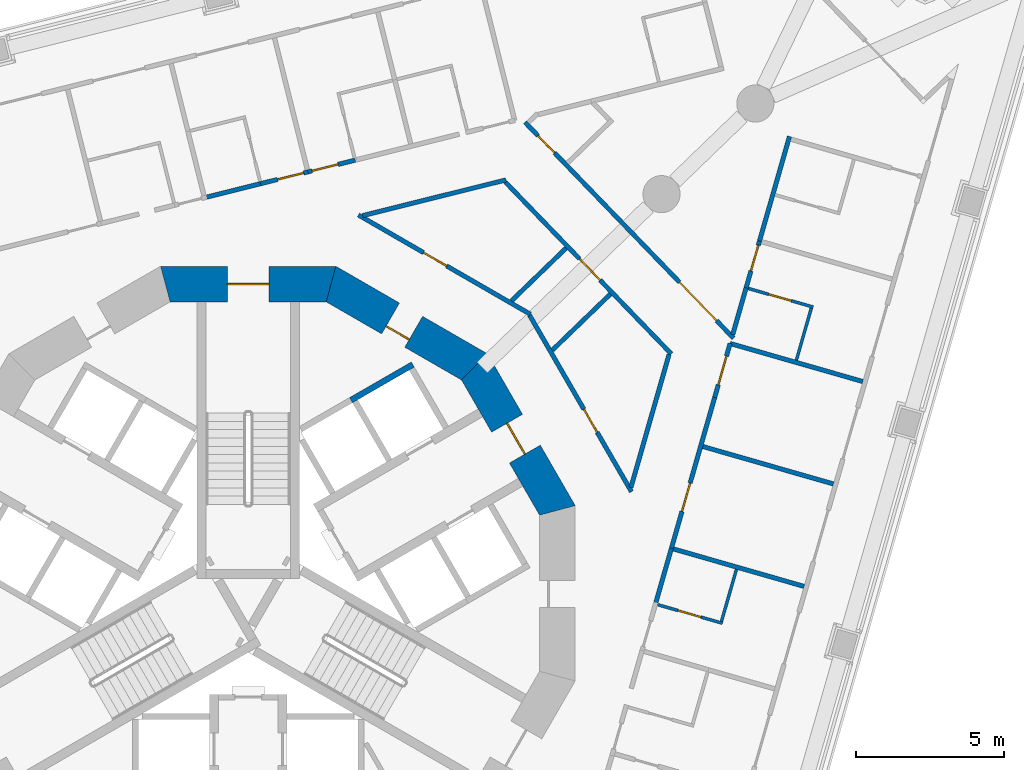
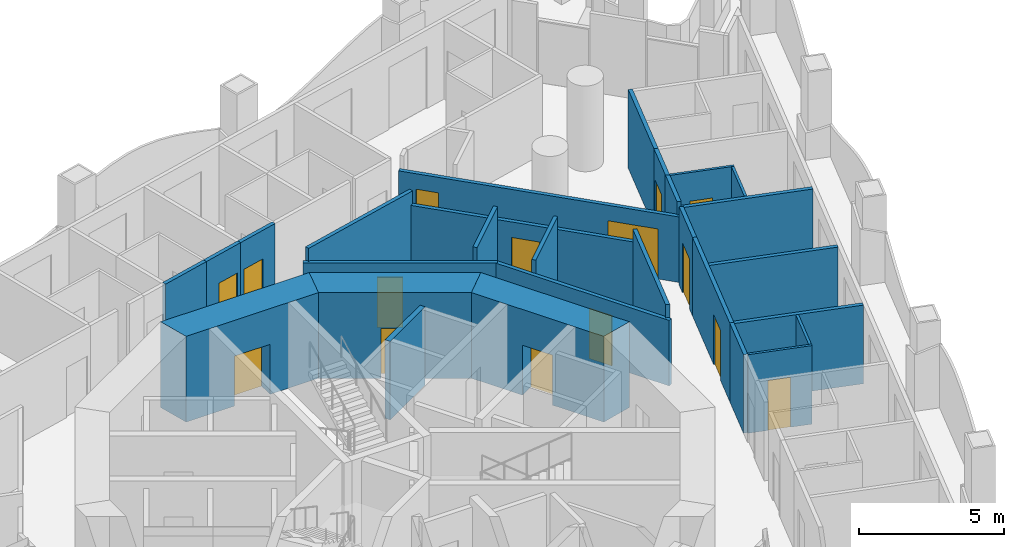
# One storey, part 10 of 20: 28 walls, 15 doors, 15 openings.
"""IFC4 building model written with IfcOpenShell, lengths in metres."""

import ifcopenshell
import ifcopenshell.guid

model = None  # the IFC model being written
_history = None  # IfcOwnerHistory: only IFC2X3 demands one
_inside = {}  # id of a spatial element -> (the spatial element, [elements in it])
_under = {}  # id of a project, library or spatial element -> (it, [spatial elements below it])
_declared = {}  # id of a project -> (the project, [libraries it declares])
_typed = {}  # id of a type object -> (the type object, [elements of that type])
_made_of = {}  # id of a material, layer set ... -> (it, [elements and type objects made of it])


def new_model(schema):
    """Start an empty IFC model of exactly this schema.

    Asked for "IFC4X3", IfcOpenShell would pick the latest addendum, in which some entities
    have other attributes; the version numbers below select the first issue.
    IFC2X3 requires an IfcOwnerHistory on every rooted entity: one is made here for all.
    """
    global model, _history
    if schema == "IFC4X3":
        model = ifcopenshell.file(schema_version=(4, 3, 0, 0))
    else:
        model = ifcopenshell.file(schema=schema)
    _inside.clear()
    _under.clear()
    _declared.clear()
    _typed.clear()
    _made_of.clear()
    _history = None
    if model.schema == "IFC2X3":
        org = make("IfcOrganization", Name="unknown")
        user = make(
            "IfcPersonAndOrganization",
            ThePerson=make("IfcPerson", FamilyName="unknown"),
            TheOrganization=org,
        )
        app = make(
            "IfcApplication",
            ApplicationDeveloper=org,
            Version="unknown",
            ApplicationFullName="unknown",
            ApplicationIdentifier="unknown",
        )
        _history = make(
            "IfcOwnerHistory",
            OwningUser=user,
            OwningApplication=app,
            ChangeAction="ADDED",
            CreationDate=0,
        )
    return model


def make(cls, **values):
    """One entity of the class cls with the attributes given. An attribute that is None is left unset."""
    return model.create_entity(
        cls, **{name: value for name, value in values.items() if value is not None}
    )


def rooted(cls, **values):
    """An entity with a GlobalId (a new one), such as an element, a storey or a relation."""
    return make(cls, GlobalId=ifcopenshell.guid.new(), OwnerHistory=_history, **values)


def si_unit(unit_type, name, prefix=None):
    """IfcSIUnit, for example si_unit("LENGTHUNIT", "METRE", prefix="MILLI")."""
    return make("IfcSIUnit", UnitType=unit_type, Prefix=prefix, Name=name)


def assignment(units):
    """IfcUnitAssignment: the units of a project."""
    return None if units is None else make("IfcUnitAssignment", Units=units)


def point(xyz):
    """IfcCartesianPoint."""
    return None if xyz is None else make("IfcCartesianPoint", Coordinates=xyz)


def direction(xyz):
    """IfcDirection."""
    return None if xyz is None else make("IfcDirection", DirectionRatios=xyz)


def frame(location, z_axis=None, x_axis=None):
    """IfcAxis2Placement3D, a coordinate frame: its origin and axes. An axis left out is left unset."""
    return make(
        "IfcAxis2Placement3D",
        Location=point(location),
        Axis=direction(z_axis),
        RefDirection=direction(x_axis),
    )


def frame_2d(location, x_axis=None):
    """IfcAxis2Placement2D, a coordinate frame in the plane: its origin and x axis."""
    return make(
        "IfcAxis2Placement2D", Location=point(location), RefDirection=direction(x_axis)
    )


def origin():
    """The frame at (0, 0, 0) with its axes left unset."""
    return frame((0.0, 0.0, 0.0))


def place(relative_to, where):
    """IfcLocalPlacement: puts the frame where relative to a parent placement (None: the world)."""
    return make(
        "IfcLocalPlacement", PlacementRelTo=relative_to, RelativePlacement=where
    )


def context(
    kind, dimensions, precision=None, world=None, true_north=None, identifier=None
):
    """IfcGeometricRepresentationContext, for example the 3D "Model" context."""
    return make(
        "IfcGeometricRepresentationContext",
        ContextIdentifier=identifier,
        ContextType=kind,
        CoordinateSpaceDimension=dimensions,
        Precision=precision,
        WorldCoordinateSystem=world,
        TrueNorth=true_north,
    )


def subcontext(parent, identifier, kind, view, scale=None):
    """IfcGeometricRepresentationSubContext, for example "Body" below "Model"."""
    return make(
        "IfcGeometricRepresentationSubContext",
        ContextIdentifier=identifier,
        ContextType=kind,
        ParentContext=parent,
        TargetScale=scale,
        TargetView=view,
    )


def project(units=None, contexts=None):
    """IfcProject with its units and contexts."""
    return rooted(
        "IfcProject",
        Name="project",
        RepresentationContexts=contexts,
        UnitsInContext=assignment(units),
    )


def spatial(cls, under=None, at=None, **own):
    """A site, building, storey or space (cls), placed at a placement, below another one or the project."""
    s = rooted(cls, ObjectPlacement=at, **own)
    if under is not None:
        _under.setdefault(under.id(), (under, []))[1].append(s)
    return s


def polyline(points):
    """IfcPolyline through the points."""
    return make("IfcPolyline", Points=[point(p) for p in points])


def profile(cls, at=None, kind="AREA", **sizes):
    """A parametric profile (cls). Its sizes go by their IFC names, for example OverallWidth=200.0."""
    return make(cls, ProfileType=kind, Position=at, **sizes)


def rectangle(**sizes):
    """IfcRectangleProfileDef."""
    return profile("IfcRectangleProfileDef", **sizes)


def outline(outer, holes=None, kind="AREA"):
    """IfcArbitraryClosedProfileDef: a profile drawn as a closed curve; with holes, ...WithVoids."""
    if holes is None:
        return make("IfcArbitraryClosedProfileDef", ProfileType=kind, OuterCurve=outer)
    return make(
        "IfcArbitraryProfileDefWithVoids",
        ProfileType=kind,
        OuterCurve=outer,
        InnerCurves=holes,
    )


def extrude(swept, where, along, depth):
    """IfcExtrudedAreaSolid: the profile swept, set in the frame where, extruded along a direction by depth."""
    return make(
        "IfcExtrudedAreaSolid",
        SweptArea=swept,
        Position=where,
        ExtrudedDirection=direction(along),
        Depth=depth,
    )


def shape(context_of_items, identifier, shape_type, items):
    """IfcShapeRepresentation: the items that make up one representation, for example the "Body"."""
    return make(
        "IfcShapeRepresentation",
        ContextOfItems=context_of_items,
        RepresentationIdentifier=identifier,
        RepresentationType=shape_type,
        Items=items,
    )


def material(Name=None, Category=None):
    """IfcMaterial."""
    return make("IfcMaterial", Name=Name, Category=Category)


def layer(
    of_material, thickness, ventilated=None, Name=None, Category=None, Priority=None
):
    """IfcMaterialLayer: one layer of a wall or slab, of a material (None: an air gap)."""
    return make(
        "IfcMaterialLayer",
        Material=of_material,
        LayerThickness=thickness,
        IsVentilated=ventilated,
        Name=Name,
        Category=Category,
        Priority=Priority,
    )


def layer_set(layers, Name=None):
    """IfcMaterialLayerSet."""
    return make("IfcMaterialLayerSet", MaterialLayers=layers, LayerSetName=Name)


def made_of(thing, what):
    """Note that an element or type object is made of a material, layer set ...; save() writes the relation."""
    if what is not None:
        _made_of.setdefault(what.id(), (what, []))[1].append(thing)
    return thing


def type_object(cls, material=None, **own):
    """A type object (cls), such as IfcWallType, which elements share."""
    return made_of(rooted(cls, **own), material)


def element(
    cls,
    number,
    at=None,
    inside=None,
    cuts=None,
    type_object=None,
    material=None,
    context=None,
    identifier="Body",
    shape_type=None,
    held_by="IfcProductDefinitionShape",
    body=None,
    shapes=None,
    **own,
):
    """One element of the class cls, such as IfcWall. Its Tag is "e" and its number.

    at: its placement. inside: the storey or other place that contains it. cuts: it is an
    opening in that element (IfcRelVoidsElement). A single representation is given by context,
    identifier, shape_type and body (its items); several are given by shapes. held_by: the class
    of the entity that holds the representations. save() writes the other relations.
    """
    e = rooted(cls, Tag="e%d" % number, ObjectPlacement=at, **own)
    if body is not None:
        shapes = [shape(context, identifier, shape_type, body)]
    if shapes is not None:
        e.Representation = make(held_by, Representations=shapes)
    if inside is not None:
        _inside.setdefault(inside.id(), (inside, []))[1].append(e)
    if cuts is not None:
        rooted(
            "IfcRelVoidsElement", RelatingBuildingElement=cuts, RelatedOpeningElement=e
        )
    if type_object is not None:
        _typed.setdefault(type_object.id(), (type_object, []))[1].append(e)
    return made_of(e, material)


def fill(opening, filler):
    """IfcRelFillsElement: the door or window that sits in an opening."""
    return rooted(
        "IfcRelFillsElement",
        RelatingOpeningElement=opening,
        RelatedBuildingElement=filler,
    )


def aggregate(whole, parts):
    """IfcRelAggregates: a whole, such as a stair, and the parts it consists of."""
    return rooted("IfcRelAggregates", RelatingObject=whole, RelatedObjects=parts)


def save(model, path):
    """Write the relations noted so far, then the file.

    IfcRelAggregates (storeys below a building ...), IfcRelContainedInSpatialStructure (elements
    in a storey), IfcRelDefinesByType, IfcRelAssociatesMaterial and IfcRelDeclares: one each for
    every whole, place, type object, material and project.
    """
    for whole, parts in _under.values():
        aggregate(whole, parts)
    for where, things in _inside.values():
        rooted(
            "IfcRelContainedInSpatialStructure",
            RelatedElements=things,
            RelatingStructure=where,
        )
    for kind, things in _typed.values():
        rooted("IfcRelDefinesByType", RelatedObjects=things, RelatingType=kind)
    for what, things in _made_of.values():
        rooted("IfcRelAssociatesMaterial", RelatedObjects=things, RelatingMaterial=what)
    for by, libraries in _declared.values():
        rooted("IfcRelDeclares", RelatingContext=by, RelatedDefinitions=libraries)
    model.write(path)


model = new_model("IFC4")

# Units and contexts
model_context = context("Model", 3, precision=1e-05, world=origin(), true_north=direction((0.0, 1.0)))
body_context = subcontext(model_context, "Body", "Model", "MODEL_VIEW")
ifc_project = project(units=[si_unit("LENGTHUNIT", "METRE"), si_unit("AREAUNIT", "SQUARE_METRE"), si_unit("VOLUMEUNIT", "CUBIC_METRE"), si_unit("PLANEANGLEUNIT", "RADIAN"), si_unit("MASSUNIT", "GRAM", prefix="KILO")], contexts=[model_context])

# Site, building, storey
site_placement = place(None, origin())
site = spatial("IfcSite", under=ifc_project, at=site_placement, CompositionType="ELEMENT")
building_placement = place(site_placement, origin())
building = spatial("IfcBuilding", under=site, at=building_placement, Name="Trine Commons Tower", CompositionType="ELEMENT")
storey_placement = place(building_placement, frame((0.0, 0.0, 101.699951171875)))
storey = spatial("IfcBuildingStorey", under=building, at=storey_placement, Name="L25", CompositionType="ELEMENT", Elevation=101.699951171875)

# Wall, opening, door
ifc_material_1 = material(Name="Concrete C70/85", Category="concrete")
ifc_layer_1 = layer(ifc_material_1, 1.199951171875)
ifc_layer_set_1 = layer_set([ifc_layer_1], Name="Concrete C70/85")
wall_type_1 = type_object("IfcWallType", Name="RC shear wall 1200 mm, C70/85", PredefinedType="SHEAR", material=ifc_layer_set_1)
wall_1_placement = place(storey_placement, frame((90.491943359375, 65.150390625, 0.0), z_axis=(0.0, 0.0, 1.0), x_axis=(-0.499979111662, 0.866037463336, 0.0)))
wall_1 = element("IfcWall", 1, at=wall_1_placement, inside=storey, type_object=wall_type_1, Name="Core wall CWC-02 L25", PredefinedType="SHEAR", context=body_context, shape_type="SweptSolid", body=[
    extrude(outline(polyline([(0.0, -0.60009765625), (5.901123046875, -0.60009765625), (5.57958984375, 0.60009765625), (0.321533203125, 0.60009765625), (0.0, -0.60009765625)])), origin(), (0.0, 0.0, 1.0), 3.60009765625),
])
opening_1_placement = place(wall_1_placement, frame((2.3505859375, 0.0, 0.0)))
opening_1 = element("IfcOpeningElement", 2, at=opening_1_placement, cuts=wall_1, Name="Opening K04.04", PredefinedType="OPENING", context=body_context, shape_type="SweptSolid", body=[
    extrude(rectangle(XDim=1.199951171875, YDim=2.10009765625, at=frame_2d((0.60009765625, 1.050048828125))), frame((0.0, 0.60986328125, 0.0), z_axis=(0.0, -1.0, 0.0), x_axis=(1.0, 0.0, 0.0)), (0.0, 0.0, 1.0), 1.219970703125),
])
ifc_material_2 = material(Name="Steel door leaves, fire-rated", Category="steel")
door_type_1 = type_object("IfcDoorType", Name="Lobby door, double leaf 1200 x 2100, FD60", OperationType="DOUBLE_DOOR_SINGLE_SWING", PredefinedType="DOOR", material=ifc_material_2)
door_1_placement = place(opening_1_placement, origin())
door_1 = element("IfcDoor", 3, at=door_1_placement, inside=storey, type_object=door_type_1, Name="Lobby door, Passenger lift lobby A L25", OperationType="DOUBLE_DOOR_SINGLE_SWING", OverallHeight=2.10009765625, OverallWidth=1.199951171875, PredefinedType="DOOR", context=body_context, shape_type="SweptSolid", body=[
    extrude(rectangle(XDim=1.199951171875, YDim=2.10009765625, at=frame_2d((0.60009765625, 1.050048828125))), frame((0.0, 0.02490234375, 0.0), z_axis=(0.0, -1.0, 0.0), x_axis=(1.0, 0.0, 0.0)), (0.0, 0.0, 1.0), 0.050048828125),
])
fill(opening_1, door_1)

wall_2_placement = place(storey_placement, frame((87.760986328125, 70.04150390625, 0.0), z_axis=(0.0, 0.0, 1.0), x_axis=(-0.866037463336, 0.499979111662, 0.0)))
wall_2 = element("IfcWall", 4, at=wall_2_placement, inside=storey, type_object=wall_type_1, Name="Core wall CWC-03 L25", PredefinedType="SHEAR", context=body_context, shape_type="SweptSolid", body=[
    extrude(outline(polyline([(0.0, -0.60009765625), (5.901123046875, -0.60009765625), (5.57958984375, 0.60009765625), (0.321533203125, 0.60009765625), (0.0, -0.60009765625)])), origin(), (0.0, 0.0, 1.0), 3.60009765625),
])
opening_2_placement = place(wall_2_placement, frame((2.526611328125, 0.0, 0.0)))
opening_2 = element("IfcOpeningElement", 5, at=opening_2_placement, cuts=wall_2, Name="Opening K04.12", PredefinedType="OPENING", context=body_context, shape_type="SweptSolid", body=[
    extrude(rectangle(XDim=0.89990234375, YDim=2.10009765625, at=frame_2d((0.449951171875, 1.050048828125))), frame((0.0, 0.60986328125, 0.0), z_axis=(0.0, -1.0, 0.0), x_axis=(1.0, 0.0, 0.0)), (0.0, 0.0, 1.0), 1.219970703125),
])
ifc_material_3 = material(Name="Steel door leaf, fire-rated", Category="steel")
door_type_2 = type_object("IfcDoorType", Name="Core room door, single leaf 900 x 2100, FD30S", OperationType="SINGLE_SWING_LEFT", PredefinedType="DOOR", material=ifc_material_3)
door_2_placement = place(opening_2_placement, origin())
door_2 = element("IfcDoor", 6, at=door_2_placement, inside=storey, type_object=door_type_2, Name="Door to Linen store L25", OperationType="SINGLE_SWING_RIGHT", OverallHeight=2.10009765625, OverallWidth=0.89990234375, PredefinedType="DOOR", context=body_context, shape_type="SweptSolid", body=[
    extrude(rectangle(XDim=0.89990234375, YDim=2.10009765625, at=frame_2d((0.449951171875, 1.050048828125))), frame((0.0, 0.3251953125, 0.0), z_axis=(0.0, -1.0, 0.0), x_axis=(1.0, 0.0, 0.0)), (0.0, 0.0, 1.0), 0.050048828125),
])
fill(opening_2, door_2)

wall_3_placement = place(storey_placement, frame((82.950439453125, 72.91162109375, 0.0), z_axis=(0.0, 0.0, 1.0), x_axis=(-1.0, 0.0, 0.0)))
wall_3 = element("IfcWall", 7, at=wall_3_placement, inside=storey, type_object=wall_type_1, Name="Core wall CWC-04 L25", PredefinedType="SHEAR", context=body_context, shape_type="SweptSolid", body=[
    extrude(outline(polyline([(0.0, -0.60009765625), (5.90087890625, -0.60009765625), (5.57958984375, 0.60009765625), (0.321533203125, 0.60009765625), (0.0, -0.60009765625)])), origin(), (0.0, 0.0, 1.0), 3.60009765625),
])
opening_3_placement = place(wall_3_placement, frame((2.25048828125, 0.0, 0.0)))
opening_3 = element("IfcOpeningElement", 8, at=opening_3_placement, cuts=wall_3, Name="Opening K04.01", PredefinedType="OPENING", context=body_context, shape_type="SweptSolid", body=[
    extrude(rectangle(XDim=1.39990234375, YDim=2.10009765625, at=frame_2d((0.699951171875, 1.050048828125))), frame((0.0, 0.60986328125, 0.0), z_axis=(0.0, -1.0, 0.0), x_axis=(1.0, 0.0, 0.0)), (0.0, 0.0, 1.0), 1.219970703125),
])
door_type_3 = type_object("IfcDoorType", Name="Stair door, double leaf 1400 x 2100, FD90", OperationType="DOUBLE_DOOR_SINGLE_SWING", PredefinedType="DOOR", material=ifc_material_2)
door_3_placement = place(opening_3_placement, origin())
door_3 = element("IfcDoor", 9, at=door_3_placement, inside=storey, type_object=door_type_3, Name="Stair door to Exit stair ST1A L25", OperationType="DOUBLE_DOOR_SINGLE_SWING", OverallHeight=2.10009765625, OverallWidth=1.39990234375, PredefinedType="DOOR", context=body_context, shape_type="SweptSolid", body=[
    extrude(rectangle(XDim=1.39990234375, YDim=2.10009765625, at=frame_2d((0.699951171875, 1.050048828125))), frame((0.0, 0.02490234375, 0.0), z_axis=(0.0, -1.0, 0.0), x_axis=(1.0, 0.0, 0.0)), (0.0, 0.0, 1.0), 0.050048828125),
])
fill(opening_3, door_3)

# Walls
ifc_material_4 = material(Name="Fire-rated gypsum shaft wall system")
ifc_layer_2 = layer(ifc_material_4, 0.199951171875)
ifc_layer_set_2 = layer_set([ifc_layer_2], Name="Fire-rated gypsum shaft wall system")
wall_type_2 = type_object("IfcWallType", Name="Shaft wall 200 mm, EI 120", PredefinedType="PARTITIONING", material=ifc_layer_set_2)
wall_4_placement = place(storey_placement, frame((83.4619140625, 69.001953125, 0.0), z_axis=(0.0, 0.0, 1.0), x_axis=(0.866202511239, 0.499693115345, 0.0)))
element("IfcWall", 10, at=wall_4_placement, inside=storey, type_object=wall_type_2, Name="Shaft wall L25", PredefinedType="PARTITIONING", context=body_context, shape_type="SweptSolid", body=[
    extrude(rectangle(XDim=2.4013671875, YDim=0.199951171875, at=frame_2d((1.20068359375, 0.0))), origin(), (0.0, 0.0, 1.0), 3.300048828125),
])
ifc_material_5 = material(Name="Gypsum plasterboard on steel stud", Category="steel")
ifc_layer_3 = layer(ifc_material_5, 0.14990234375)
ifc_layer_set_3 = layer_set([ifc_layer_3], Name="Gypsum plasterboard on steel stud")
wall_type_3 = type_object("IfcWallType", Name="Unit and corridor wall 150 mm, EI 60", PredefinedType="PARTITIONING", material=ifc_layer_set_3)
wall_5_placement = place(storey_placement, frame((78.52392578125, 75.820068359375, 0.0), z_axis=(0.0, 0.0, 1.0), x_axis=(0.970398654649, 0.241508697681, 0.0)))
element("IfcWall", 11, at=wall_5_placement, inside=storey, type_object=wall_type_3, Name="Partition 069", PredefinedType="PARTITIONING", context=body_context, shape_type="SweptSolid", body=[
    extrude(rectangle(XDim=1.9580078125, YDim=0.14990234375, at=frame_2d((0.97900390625, 0.0))), origin(), (0.0, 0.0, 1.0), 3.300048828125),
])

# Wall, opening, door
wall_6_placement = place(storey_placement, frame((80.416015625, 76.291015625, 0.0), z_axis=(0.0, 0.0, 1.0), x_axis=(0.970220928559, 0.242221695533, 0.0)))
wall_6 = element("IfcWall", 12, at=wall_6_placement, inside=storey, type_object=wall_type_3, Name="Partition 076", PredefinedType="PARTITIONING", context=body_context, shape_type="SweptSolid", body=[
    extrude(rectangle(XDim=1.64697265625, YDim=0.14990234375, at=frame_2d((0.823486328125, 0.0))), origin(), (0.0, 0.0, 1.0), 3.300048828125),
])
opening_4_placement = place(wall_6_placement, frame((0.593017578125, 0.0, 0.0)))
opening_4 = element("IfcOpeningElement", 13, at=opening_4_placement, cuts=wall_6, Name="Opening D-3B12", PredefinedType="OPENING", context=body_context, shape_type="SweptSolid", body=[
    extrude(rectangle(XDim=0.89990234375, YDim=2.10009765625, at=frame_2d((0.449951171875, 1.050048828125))), frame((0.0, 0.0849609375, 0.0), z_axis=(0.0, -1.0, 0.0), x_axis=(1.0, 0.0, 0.0)), (0.0, 0.0, 1.0), 0.169921875),
])
ifc_material_6 = material(Name="Timber fire door set", Category="wood")
door_type_4 = type_object("IfcDoorType", Name="Bedroom door 900 x 2100, FD30S", OperationType="NOTDEFINED", PredefinedType="DOOR", material=ifc_material_6)
door_4_placement = place(opening_4_placement, origin())
door_4 = element("IfcDoor", 14, at=door_4_placement, inside=storey, type_object=door_type_4, Name="Door D-3B12", OperationType="SINGLE_SWING_RIGHT", OverallHeight=2.10009765625, OverallWidth=0.89990234375, PredefinedType="DOOR", context=body_context, shape_type="SweptSolid", body=[
    extrude(rectangle(XDim=0.89990234375, YDim=2.10009765625, at=frame_2d((0.449951171875, 1.050048828125))), frame((0.0, 0.02490234375, 0.0), z_axis=(0.0, -1.0, 0.0), x_axis=(1.0, 0.0, 0.0)), (0.0, 0.0, 1.0), 0.050048828125),
])
fill(opening_4, door_4)

wall_7_placement = place(storey_placement, frame((82.006103515625, 76.68798828125, 0.0), z_axis=(0.0, 0.0, 1.0), x_axis=(0.970325473096, 0.241802556359, 0.0)))
wall_7 = element("IfcWall", 15, at=wall_7_placement, inside=storey, type_object=wall_type_3, Name="Partition 080", PredefinedType="PARTITIONING", context=body_context, shape_type="SweptSolid", body=[
    extrude(rectangle(XDim=1.645751953125, YDim=0.14990234375, at=frame_2d((0.82275390625, 0.0))), origin(), (0.0, 0.0, 1.0), 3.300048828125),
])
opening_5_placement = place(wall_7_placement, frame((0.154052734375, 0.0, 0.0)))
opening_5 = element("IfcOpeningElement", 16, at=opening_5_placement, cuts=wall_7, Name="Opening D-3B13", PredefinedType="OPENING", context=body_context, shape_type="SweptSolid", body=[
    extrude(rectangle(XDim=0.89990234375, YDim=2.10009765625, at=frame_2d((0.449951171875, 1.050048828125))), frame((0.0, 0.0849609375, 0.0), z_axis=(0.0, -1.0, 0.0), x_axis=(1.0, 0.0, 0.0)), (0.0, 0.0, 1.0), 0.169921875),
])
door_5_placement = place(opening_5_placement, origin())
door_5 = element("IfcDoor", 17, at=door_5_placement, inside=storey, type_object=door_type_4, Name="Door D-3B13", OperationType="SINGLE_SWING_LEFT", OverallHeight=2.10009765625, OverallWidth=0.89990234375, PredefinedType="DOOR", context=body_context, shape_type="SweptSolid", body=[
    extrude(rectangle(XDim=0.89990234375, YDim=2.10009765625, at=frame_2d((0.449951171875, 1.050048828125))), frame((0.0, 0.02490234375, 0.0), z_axis=(0.0, -1.0, 0.0), x_axis=(1.0, 0.0, 0.0)), (0.0, 0.0, 1.0), 0.050048828125),
])
fill(opening_5, door_5)

wall_8_placement = place(storey_placement, frame((83.7119140625, 75.237548828125, 0.0), z_axis=(0.0, 0.0, 1.0), x_axis=(0.866033484359, -0.499986003774, 0.0)))
wall_8 = element("IfcWall", 18, at=wall_8_placement, inside=storey, type_object=wall_type_3, Name="Partition 085", PredefinedType="PARTITIONING", context=body_context, shape_type="SweptSolid", body=[
    extrude(rectangle(XDim=6.682373046875, YDim=0.14990234375, at=frame_2d((3.34130859375, 0.0))), origin(), (0.0, 0.0, 1.0), 2.75),
])
opening_6_placement = place(wall_8_placement, frame((2.53271484375, 0.0, 0.0)))
opening_6 = element("IfcOpeningElement", 19, at=opening_6_placement, cuts=wall_8, Name="Opening D-3B38", PredefinedType="OPENING", context=body_context, shape_type="SweptSolid", body=[
    extrude(rectangle(XDim=0.89990234375, YDim=2.10009765625, at=frame_2d((0.449951171875, 1.050048828125))), frame((0.0, 0.0849609375, 0.0), z_axis=(0.0, -1.0, 0.0), x_axis=(1.0, 0.0, 0.0)), (0.0, 0.0, 1.0), 0.169921875),
])
door_type_5 = type_object("IfcDoorType", Name="Service door 900 x 2100, FD30S", OperationType="NOTDEFINED", PredefinedType="DOOR", material=ifc_material_6)
door_6_placement = place(opening_6_placement, origin())
door_6 = element("IfcDoor", 20, at=door_6_placement, inside=storey, type_object=door_type_5, Name="Door D-3B38", OperationType="SINGLE_SWING_LEFT", OverallHeight=2.10009765625, OverallWidth=0.89990234375, PredefinedType="DOOR", context=body_context, shape_type="SweptSolid", body=[
    extrude(rectangle(XDim=0.89990234375, YDim=2.10009765625, at=frame_2d((0.449951171875, 1.050048828125))), frame((0.0, 0.02490234375, 0.0), z_axis=(0.0, -1.0, 0.0), x_axis=(1.0, 0.0, 0.0)), (0.0, 0.0, 1.0), 0.050048828125),
])
fill(opening_6, door_6)

# Wall
wall_9_placement = place(storey_placement, frame((83.852783203125, 75.216064453125, 0.0), z_axis=(0.0, 0.0, 1.0), x_axis=(0.970312588938, 0.241854253112, 0.0)))
element("IfcWall", 21, at=wall_9_placement, inside=storey, type_object=wall_type_3, Name="Partition 086", PredefinedType="PARTITIONING", context=body_context, shape_type="SweptSolid", body=[
    extrude(rectangle(XDim=4.974609375, YDim=0.14990234375, at=frame_2d((2.4873046875, 0.0))), origin(), (0.0, 0.0, 1.0), 3.300048828125),
])

# Wall, opening, door
wall_10_placement = place(storey_placement, frame((88.6591796875, 76.34716796875, 0.0), z_axis=(0.0, 0.0, 1.0), x_axis=(0.694672534157, -0.719326122345, 0.0)))
wall_10 = element("IfcWall", 22, at=wall_10_placement, inside=storey, type_object=wall_type_3, Name="Partition 101", PredefinedType="PARTITIONING", context=body_context, shape_type="SweptSolid", body=[
    extrude(rectangle(XDim=8.041015625, YDim=0.14990234375, at=frame_2d((4.0205078125, 0.0))), origin(), (0.0, 0.0, 1.0), 2.75),
])
opening_7_placement = place(wall_10_placement, frame((3.595458984375, 0.0, 0.0)))
opening_7 = element("IfcOpeningElement", 23, at=opening_7_placement, cuts=wall_10, Name="Opening D-3B42", PredefinedType="OPENING", context=body_context, shape_type="SweptSolid", body=[
    extrude(rectangle(XDim=1.0, YDim=2.10009765625, at=frame_2d((0.5, 1.050048828125))), frame((0.0, 0.0849609375, 0.0), z_axis=(0.0, -1.0, 0.0), x_axis=(1.0, 0.0, 0.0)), (0.0, 0.0, 1.0), 0.169921875),
])
ifc_material_7 = material(Name="Painted timber", Category="wood")
door_type_6 = type_object("IfcDoorType", Name="Toilet door 1000 x 2100, NOT RATED", OperationType="NOTDEFINED", PredefinedType="DOOR", material=ifc_material_7)
door_7_placement = place(opening_7_placement, frame((1.0, 0.0, 0.0), z_axis=(0.0, 0.0, 1.0), x_axis=(-1.0, 0.0, 0.0)))
door_7 = element("IfcDoor", 24, at=door_7_placement, inside=storey, type_object=door_type_6, Name="Door D-3B42", OperationType="SINGLE_SWING_LEFT", OverallHeight=2.10009765625, OverallWidth=1.0, PredefinedType="DOOR", context=body_context, shape_type="SweptSolid", body=[
    extrude(rectangle(XDim=1.0, YDim=2.10009765625, at=frame_2d((0.5, 1.050048828125))), frame((0.0, 0.02490234375, 0.0), z_axis=(0.0, -1.0, 0.0), x_axis=(1.0, 0.0, 0.0)), (0.0, 0.0, 1.0), 0.050048828125),
])
fill(opening_7, door_7)

# Wall
wall_11_placement = place(storey_placement, frame((88.864013671875, 72.34619140625, 0.0), z_axis=(0.0, 0.0, 1.0), x_axis=(0.719366900494, 0.694630306332, 0.0)))
element("IfcWall", 25, at=wall_11_placement, inside=storey, type_object=wall_type_3, Name="Partition 103", PredefinedType="PARTITIONING", context=body_context, shape_type="SweptSolid", body=[
    extrude(rectangle(XDim=2.55615234375, YDim=0.14990234375, at=frame_2d((1.278076171875, 0.0))), origin(), (0.0, 0.0, 1.0), 3.300048828125),
])

# Wall, openings, doors
wall_12_placement = place(storey_placement, frame((89.322998046875, 78.35791015625, 0.0), z_axis=(0.0, 0.0, 1.0), x_axis=(0.694707851552, -0.719292013713, 0.0)))
wall_12 = element("IfcWall", 26, at=wall_12_placement, inside=storey, type_object=wall_type_3, Name="Partition 107", PredefinedType="PARTITIONING", context=body_context, shape_type="SweptSolid", body=[
    extrude(rectangle(XDim=10.109619140625, YDim=0.14990234375, at=frame_2d((5.0546875, 0.0))), origin(), (0.0, 0.0, 1.0), 2.75),
])
opening_8_placement = place(wall_12_placement, frame((7.484130859375, 0.0, 0.0)))
opening_8 = element("IfcOpeningElement", 27, at=opening_8_placement, cuts=wall_12, Name="Opening D-3B01", PredefinedType="OPENING", context=body_context, shape_type="SweptSolid", body=[
    extrude(rectangle(XDim=1.800048828125, YDim=2.10009765625, at=frame_2d((0.89990234375, 1.050048828125))), frame((0.0, 0.0849609375, 0.0), z_axis=(0.0, -1.0, 0.0), x_axis=(1.0, 0.0, 0.0)), (0.0, 0.0, 1.0), 0.169921875),
])
opening_9_placement = place(wall_12_placement, frame((0.628662109375, 0.0, 0.0)))
opening_9 = element("IfcOpeningElement", 28, at=opening_9_placement, cuts=wall_12, Name="Opening D-3B04", PredefinedType="OPENING", context=body_context, shape_type="SweptSolid", body=[
    extrude(rectangle(XDim=0.800048828125, YDim=2.10009765625, at=frame_2d((0.39990234375, 1.050048828125))), frame((0.0, 0.0849609375, 0.0), z_axis=(0.0, -1.0, 0.0), x_axis=(1.0, 0.0, 0.0)), (0.0, 0.0, 1.0), 0.169921875),
])
door_type_7 = type_object("IfcDoorType", Name="Cluster entrance door 1800 x 2100, double leaf, FD30S", OperationType="DOUBLE_DOOR_DOUBLE_SWING", PredefinedType="DOOR", material=ifc_material_6)
door_8_placement = place(opening_8_placement, origin())
door_8 = element("IfcDoor", 29, at=door_8_placement, inside=storey, type_object=door_type_7, Name="Door D-3B01", OperationType="DOUBLE_DOOR_DOUBLE_SWING", OverallHeight=2.10009765625, OverallWidth=1.800048828125, PredefinedType="DOOR", context=body_context, shape_type="SweptSolid", body=[
    extrude(rectangle(XDim=1.800048828125, YDim=2.10009765625, at=frame_2d((0.89990234375, 1.050048828125))), frame((0.0, 0.02490234375, 0.0), z_axis=(0.0, -1.0, 0.0), x_axis=(1.0, 0.0, 0.0)), (0.0, 0.0, 1.0), 0.050048828125),
])
fill(opening_8, door_8)
door_type_8 = type_object("IfcDoorType", Name="Toilet door 800 x 2100, NOT RATED", OperationType="NOTDEFINED", PredefinedType="DOOR", material=ifc_material_7)
door_9_placement = place(opening_9_placement, origin())
door_9 = element("IfcDoor", 30, at=door_9_placement, inside=storey, type_object=door_type_8, Name="Door D-3B04", OperationType="SINGLE_SWING_LEFT", OverallHeight=2.10009765625, OverallWidth=0.800048828125, PredefinedType="DOOR", context=body_context, shape_type="SweptSolid", body=[
    extrude(rectangle(XDim=0.800048828125, YDim=2.10009765625, at=frame_2d((0.39990234375, 1.050048828125))), frame((0.0, 0.02490234375, 0.0), z_axis=(0.0, -1.0, 0.0), x_axis=(1.0, 0.0, 0.0)), (0.0, 0.0, 1.0), 0.050048828125),
])
fill(opening_9, door_9)

# Wall, opening, door
wall_13_placement = place(storey_placement, frame((89.471435546875, 71.868896484375, 0.0), z_axis=(0.0, 0.0, 1.0), x_axis=(0.500000410344, -0.866025166872, 0.0)))
wall_13 = element("IfcWall", 31, at=wall_13_placement, inside=storey, type_object=wall_type_3, Name="Partition 109", PredefinedType="PARTITIONING", context=body_context, shape_type="SweptSolid", body=[
    extrude(rectangle(XDim=6.8681640625, YDim=0.14990234375, at=frame_2d((3.43408203125, 0.0))), origin(), (0.0, 0.0, 1.0), 2.75),
])
opening_10_placement = place(wall_13_placement, frame((3.65869140625, 0.0, 0.0)))
opening_10 = element("IfcOpeningElement", 32, at=opening_10_placement, cuts=wall_13, Name="Opening D-3B39", PredefinedType="OPENING", context=body_context, shape_type="SweptSolid", body=[
    extrude(rectangle(XDim=0.89990234375, YDim=2.10009765625, at=frame_2d((0.449951171875, 1.050048828125))), frame((0.0, 0.0849609375, 0.0), z_axis=(0.0, -1.0, 0.0), x_axis=(1.0, 0.0, 0.0)), (0.0, 0.0, 1.0), 0.169921875),
])
door_10_placement = place(opening_10_placement, origin())
door_10 = element("IfcDoor", 33, at=door_10_placement, inside=storey, type_object=door_type_5, Name="Door D-3B39", OperationType="SINGLE_SWING_RIGHT", OverallHeight=2.10009765625, OverallWidth=0.89990234375, PredefinedType="DOOR", context=body_context, shape_type="SweptSolid", body=[
    extrude(rectangle(XDim=0.89990234375, YDim=2.10009765625, at=frame_2d((0.449951171875, 1.050048828125))), frame((0.0, 0.02490234375, 0.0), z_axis=(0.0, -1.0, 0.0), x_axis=(1.0, 0.0, 0.0)), (0.0, 0.0, 1.0), 0.050048828125),
])
fill(opening_10, door_10)

# Walls
wall_14_placement = place(storey_placement, frame((90.239013671875, 70.68408203125, 0.0), z_axis=(0.0, 0.0, 1.0), x_axis=(0.719152656364, 0.694852111492, 0.0)))
element("IfcWall", 34, at=wall_14_placement, inside=storey, type_object=wall_type_3, Name="Partition 112", PredefinedType="PARTITIONING", context=body_context, shape_type="SweptSolid", body=[
    extrude(rectangle(XDim=2.72265625, YDim=0.14990234375, at=frame_2d((1.361328125, 0.0))), origin(), (0.0, 0.0, 1.0), 3.300048828125),
])
wall_15_placement = place(storey_placement, frame((92.88671875, 66.06103515625, 0.0), z_axis=(0.0, 0.0, 1.0), x_axis=(0.275619666794, 0.961266768008, 0.0)))
element("IfcWall", 35, at=wall_15_placement, inside=storey, type_object=wall_type_3, Name="Partition 126", PredefinedType="PARTITIONING", context=body_context, shape_type="SweptSolid", body=[
    extrude(rectangle(XDim=4.66455078125, YDim=0.14990234375, at=frame_2d((2.332275390625, 0.0))), origin(), (0.0, 0.0, 1.0), 3.300048828125),
])
wall_16_placement = place(storey_placement, frame((93.7119140625, 62.134033203125, 0.0), z_axis=(0.0, 0.0, 1.0), x_axis=(0.275675684966, 0.961250704405, 0.0)))
element("IfcWall", 36, at=wall_16_placement, inside=storey, type_object=wall_type_3, Name="Partition 132", PredefinedType="PARTITIONING", context=body_context, shape_type="SweptSolid", body=[
    extrude(rectangle(XDim=1.958984375, YDim=0.14990234375, at=frame_2d((0.9794921875, 0.0))), origin(), (0.0, 0.0, 1.0), 3.300048828125),
])

# Wall, opening, door
wall_17_placement = place(storey_placement, frame((94.228271484375, 63.93701171875, 0.0), z_axis=(0.0, 0.0, 1.0), x_axis=(0.275737098009, 0.961233089725, 0.0)))
wall_17 = element("IfcWall", 37, at=wall_17_placement, inside=storey, type_object=wall_type_3, Name="Partition 135", PredefinedType="PARTITIONING", context=body_context, shape_type="SweptSolid", body=[
    extrude(rectangle(XDim=5.363037109375, YDim=0.14990234375, at=frame_2d((2.681640625, 0.0))), origin(), (0.0, 0.0, 1.0), 3.300048828125),
])
opening_11_placement = place(wall_17_placement, frame((1.373046875, 0.0, 0.0)))
opening_11 = element("IfcOpeningElement", 38, at=opening_11_placement, cuts=wall_17, Name="Opening D-3B19", PredefinedType="OPENING", context=body_context, shape_type="SweptSolid", body=[
    extrude(rectangle(XDim=1.0, YDim=2.10009765625, at=frame_2d((0.5, 1.050048828125))), frame((0.0, 0.0849609375, 0.0), z_axis=(0.0, -1.0, 0.0), x_axis=(1.0, 0.0, 0.0)), (0.0, 0.0, 1.0), 0.169921875),
])
door_type_9 = type_object("IfcDoorType", Name="Amenity room door 1000 x 2100, NOT RATED", OperationType="NOTDEFINED", PredefinedType="DOOR", material=ifc_material_7)
door_11_placement = place(opening_11_placement, frame((1.0, 0.0, 0.0), z_axis=(0.0, 0.0, 1.0), x_axis=(-1.0, 0.0, 0.0)))
door_11 = element("IfcDoor", 39, at=door_11_placement, inside=storey, type_object=door_type_9, Name="Door D-3B19", OperationType="SINGLE_SWING_RIGHT", OverallHeight=2.10009765625, OverallWidth=1.0, PredefinedType="DOOR", context=body_context, shape_type="SweptSolid", body=[
    extrude(rectangle(XDim=1.0, YDim=2.10009765625, at=frame_2d((0.5, 1.050048828125))), frame((0.0, 0.02490234375, 0.0), z_axis=(0.0, -1.0, 0.0), x_axis=(1.0, 0.0, 0.0)), (0.0, 0.0, 1.0), 0.050048828125),
])
fill(opening_11, door_11)

# Walls
wall_18_placement = place(storey_placement, frame((94.322021484375, 63.9921875, 0.0), z_axis=(0.0, 0.0, 1.0), x_axis=(0.961269673231, -0.275609534171, 0.0)))
element("IfcWall", 40, at=wall_18_placement, inside=storey, type_object=wall_type_3, Name="Partition 136", PredefinedType="PARTITIONING", context=body_context, shape_type="SweptSolid", body=[
    extrude(rectangle(XDim=4.572509765625, YDim=0.14990234375, at=frame_2d((2.2861328125, 0.0))), origin(), (0.0, 0.0, 1.0), 3.300048828125),
])
wall_19_placement = place(storey_placement, frame((95.31103515625, 67.44140625, 0.0), z_axis=(0.0, 0.0, 1.0), x_axis=(0.961255526758, -0.275658869398, 0.0)))
element("IfcWall", 41, at=wall_19_placement, inside=storey, type_object=wall_type_3, Name="Partition 139", PredefinedType="PARTITIONING", context=body_context, shape_type="SweptSolid", body=[
    extrude(rectangle(XDim=4.57275390625, YDim=0.14990234375, at=frame_2d((2.286376953125, 0.0))), origin(), (0.0, 0.0, 1.0), 3.300048828125),
])

# Wall, opening, door
wall_20_placement = place(storey_placement, frame((95.70703125, 69.092041015625, 0.0), z_axis=(0.0, 0.0, 1.0), x_axis=(0.275265230362, 0.961368323253, 0.0)))
wall_20 = element("IfcWall", 42, at=wall_20_placement, inside=storey, type_object=wall_type_3, Name="Partition 142", PredefinedType="PARTITIONING", context=body_context, shape_type="SweptSolid", body=[
    extrude(rectangle(XDim=1.896240234375, YDim=0.14990234375, at=frame_2d((0.9482421875, 0.0))), origin(), (0.0, 0.0, 1.0), 3.300048828125),
])
opening_12_placement = place(wall_20_placement, frame((0.446044921875, 0.0, 0.0)))
opening_12 = element("IfcOpeningElement", 43, at=opening_12_placement, cuts=wall_20, Name="Opening D-3B18", PredefinedType="OPENING", context=body_context, shape_type="SweptSolid", body=[
    extrude(rectangle(XDim=1.0, YDim=2.10009765625, at=frame_2d((0.5, 1.050048828125))), frame((0.0, 0.0849609375, 0.0), z_axis=(0.0, -1.0, 0.0), x_axis=(1.0, 0.0, 0.0)), (0.0, 0.0, 1.0), 0.169921875),
])
door_12_placement = place(opening_12_placement, frame((1.0, 0.0, 0.0), z_axis=(0.0, 0.0, 1.0), x_axis=(-1.0, 0.0, 0.0)))
door_12 = element("IfcDoor", 44, at=door_12_placement, inside=storey, type_object=door_type_9, Name="Door D-3B18", OperationType="SINGLE_SWING_RIGHT", OverallHeight=2.10009765625, OverallWidth=1.0, PredefinedType="DOOR", context=body_context, shape_type="SweptSolid", body=[
    extrude(rectangle(XDim=1.0, YDim=2.10009765625, at=frame_2d((0.5, 1.050048828125))), frame((0.0, 0.02490234375, 0.0), z_axis=(0.0, -1.0, 0.0), x_axis=(1.0, 0.0, 0.0)), (0.0, 0.0, 1.0), 0.050048828125),
])
fill(opening_12, door_12)

# Walls
wall_21_placement = place(storey_placement, frame((96.22802734375, 70.910888671875, 0.0), z_axis=(0.0, 0.0, 1.0), x_axis=(0.961263836782, -0.275629889699, 0.0)))
element("IfcWall", 45, at=wall_21_placement, inside=storey, type_object=wall_type_3, Name="Partition 144", PredefinedType="PARTITIONING", context=body_context, shape_type="SweptSolid", body=[
    extrude(rectangle(XDim=4.6474609375, YDim=0.14990234375, at=frame_2d((2.32373046875, 0.0))), origin(), (0.0, 0.0, 1.0), 3.300048828125),
])
wall_22_placement = place(storey_placement, frame((96.314697265625, 71.212158203125, 0.0), z_axis=(0.0, 0.0, 1.0), x_axis=(0.275540757527, 0.9612893898, 0.0)))
element("IfcWall", 46, at=wall_22_placement, inside=storey, type_object=wall_type_3, Name="Partition 145", PredefinedType="PARTITIONING", context=body_context, shape_type="SweptSolid", body=[
    extrude(rectangle(XDim=1.69140625, YDim=0.14990234375, at=frame_2d((0.845703125, 0.0))), origin(), (0.0, 0.0, 1.0), 3.300048828125),
])

# Wall, opening, door
wall_23_placement = place(storey_placement, frame((96.764892578125, 72.781982421875, 0.0), z_axis=(0.0, 0.0, 1.0), x_axis=(0.275428171862, 0.961321653842, 0.0)))
wall_23 = element("IfcWall", 47, at=wall_23_placement, inside=storey, type_object=wall_type_3, Name="Partition 146", PredefinedType="PARTITIONING", context=body_context, shape_type="SweptSolid", body=[
    extrude(rectangle(XDim=1.6416015625, YDim=0.14990234375, at=frame_2d((0.82080078125, 0.0))), origin(), (0.0, 0.0, 1.0), 3.300048828125),
])
opening_13_placement = place(wall_23_placement, frame((0.591552734375, 0.0, 0.0)))
opening_13 = element("IfcOpeningElement", 48, at=opening_13_placement, cuts=wall_23, Name="Opening D-3B17", PredefinedType="OPENING", context=body_context, shape_type="SweptSolid", body=[
    extrude(rectangle(XDim=0.89990234375, YDim=2.10009765625, at=frame_2d((0.449951171875, 1.050048828125))), frame((0.0, 0.0849609375, 0.0), z_axis=(0.0, -1.0, 0.0), x_axis=(1.0, 0.0, 0.0)), (0.0, 0.0, 1.0), 0.169921875),
])
door_13_placement = place(opening_13_placement, frame((0.89990234375, 0.0, 0.0), z_axis=(0.0, 0.0, 1.0), x_axis=(-1.0, 0.0, 0.0)))
door_13 = element("IfcDoor", 49, at=door_13_placement, inside=storey, type_object=door_type_4, Name="Door D-3B17", OperationType="SINGLE_SWING_LEFT", OverallHeight=2.10009765625, OverallWidth=0.89990234375, PredefinedType="DOOR", context=body_context, shape_type="SweptSolid", body=[
    extrude(rectangle(XDim=0.89990234375, YDim=2.10009765625, at=frame_2d((0.449951171875, 1.050048828125))), frame((0.0, 0.02490234375, 0.0), z_axis=(0.0, -1.0, 0.0), x_axis=(1.0, 0.0, 0.0)), (0.0, 0.0, 1.0), 0.050048828125),
])
fill(opening_13, door_13)

# Wall
wall_24_placement = place(storey_placement, frame((97.217041015625, 74.360107421875, 0.0), z_axis=(0.0, 0.0, 1.0), x_axis=(0.275601093683, 0.961272093198, 0.0)))
element("IfcWall", 50, at=wall_24_placement, inside=storey, type_object=wall_type_3, Name="Partition 148", PredefinedType="PARTITIONING", context=body_context, shape_type="SweptSolid", body=[
    extrude(rectangle(XDim=3.663818359375, YDim=0.14990234375, at=frame_2d((1.83203125, 0.0))), origin(), (0.0, 0.0, 1.0), 3.300048828125),
])

# Wall, opening, door
ifc_layer_4 = layer(ifc_material_5, 0.10009765625)
ifc_layer_set_4 = layer_set([ifc_layer_4], Name="Gypsum plasterboard on steel stud")
wall_type_4 = type_object("IfcWallType", Name="Unit partition 100 mm, no rating", PredefinedType="PARTITIONING", material=ifc_layer_set_4)
wall_25_placement = place(storey_placement, frame((93.78515625, 62.1171875, 0.0), z_axis=(0.0, 0.0, 1.0), x_axis=(0.961247989745, -0.27568515051, 0.0)))
wall_25 = element("IfcWall", 51, at=wall_25_placement, inside=storey, type_object=wall_type_4, Name="Partition 133", PredefinedType="PARTITIONING", context=body_context, shape_type="SweptSolid", body=[
    extrude(rectangle(XDim=2.274169921875, YDim=0.10009765625, at=frame_2d((1.13720703125, 0.0))), origin(), (0.0, 0.0, 1.0), 3.300048828125),
])
opening_14_placement = place(wall_25_placement, frame((0.7119140625, 0.0, 0.0)))
opening_14 = element("IfcOpeningElement", 52, at=opening_14_placement, cuts=wall_25, Name="Opening D-3B53", PredefinedType="OPENING", context=body_context, shape_type="SweptSolid", body=[
    extrude(rectangle(XDim=0.800048828125, YDim=2.10009765625, at=frame_2d((0.39990234375, 1.050048828125))), frame((0.0, 0.06005859375, 0.0), z_axis=(0.0, -1.0, 0.0), x_axis=(1.0, 0.0, 0.0)), (0.0, 0.0, 1.0), 0.1201171875),
])
door_type_10 = type_object("IfcDoorType", Name="Internal door 800 x 2100, NOT RATED", OperationType="NOTDEFINED", PredefinedType="DOOR", material=ifc_material_7)
door_14_placement = place(opening_14_placement, frame((0.800048828125, 0.0, 0.0), z_axis=(0.0, 0.0, 1.0), x_axis=(-1.0, 0.0, 0.0)))
door_14 = element("IfcDoor", 53, at=door_14_placement, inside=storey, type_object=door_type_10, Name="Door D-3B53", OperationType="SINGLE_SWING_RIGHT", OverallHeight=2.10009765625, OverallWidth=0.800048828125, PredefinedType="DOOR", context=body_context, shape_type="SweptSolid", body=[
    extrude(rectangle(XDim=0.800048828125, YDim=2.10009765625, at=frame_2d((0.39990234375, 1.050048828125))), frame((0.0, 0.02490234375, 0.0), z_axis=(0.0, -1.0, 0.0), x_axis=(1.0, 0.0, 0.0)), (0.0, 0.0, 1.0), 0.050048828125),
])
fill(opening_14, door_14)

# Wall
wall_26_placement = place(storey_placement, frame((95.936767578125, 61.552001953125, 0.0), z_axis=(0.0, 0.0, 1.0), x_axis=(0.275745372376, 0.96123071612, 0.0)))
element("IfcWall", 54, at=wall_26_placement, inside=storey, type_object=wall_type_4, Name="Partition 143", PredefinedType="PARTITIONING", context=body_context, shape_type="SweptSolid", body=[
    extrude(rectangle(XDim=1.82568359375, YDim=0.10009765625, at=frame_2d((0.912841796875, 0.0))), origin(), (0.0, 0.0, 1.0), 3.300048828125),
])

# Wall, opening, door
wall_27_placement = place(storey_placement, frame((96.838134765625, 72.765380859375, 0.0), z_axis=(0.0, 0.0, 1.0), x_axis=(0.961219536458, -0.275784340983, 0.0)))
wall_27 = element("IfcWall", 55, at=wall_27_placement, inside=storey, type_object=wall_type_4, Name="Partition 147", PredefinedType="PARTITIONING", context=body_context, shape_type="SweptSolid", body=[
    extrude(rectangle(XDim=2.274169921875, YDim=0.10009765625, at=frame_2d((1.13720703125, 0.0))), origin(), (0.0, 0.0, 1.0), 3.300048828125),
])
opening_15_placement = place(wall_27_placement, frame((0.7119140625, 0.0, 0.0)))
opening_15 = element("IfcOpeningElement", 56, at=opening_15_placement, cuts=wall_27, Name="Opening D-3B52", PredefinedType="OPENING", context=body_context, shape_type="SweptSolid", body=[
    extrude(rectangle(XDim=0.800048828125, YDim=2.10009765625, at=frame_2d((0.39990234375, 1.050048828125))), frame((0.0, 0.06005859375, 0.0), z_axis=(0.0, -1.0, 0.0), x_axis=(1.0, 0.0, 0.0)), (0.0, 0.0, 1.0), 0.1201171875),
])
door_15_placement = place(opening_15_placement, origin())
door_15 = element("IfcDoor", 57, at=door_15_placement, inside=storey, type_object=door_type_10, Name="Door D-3B52", OperationType="SINGLE_SWING_LEFT", OverallHeight=2.10009765625, OverallWidth=0.800048828125, PredefinedType="DOOR", context=body_context, shape_type="SweptSolid", body=[
    extrude(rectangle(XDim=0.800048828125, YDim=2.10009765625, at=frame_2d((0.39990234375, 1.050048828125))), frame((0.0, 0.02490234375, 0.0), z_axis=(0.0, -1.0, 0.0), x_axis=(1.0, 0.0, 0.0)), (0.0, 0.0, 1.0), 0.050048828125),
])
fill(opening_15, door_15)

# Wall
wall_28_placement = place(storey_placement, frame((98.459716796875, 70.34912109375, 0.0), z_axis=(0.0, 0.0, 1.0), x_axis=(0.275251026539, 0.96137239007, 0.0)))
element("IfcWall", 58, at=wall_28_placement, inside=storey, type_object=wall_type_4, Name="Partition 152", PredefinedType="PARTITIONING", context=body_context, shape_type="SweptSolid", body=[
    extrude(rectangle(XDim=1.825439453125, YDim=0.10009765625, at=frame_2d((0.91259765625, 0.0))), origin(), (0.0, 0.0, 1.0), 3.300048828125),
])

save(model, "model.ifc")
